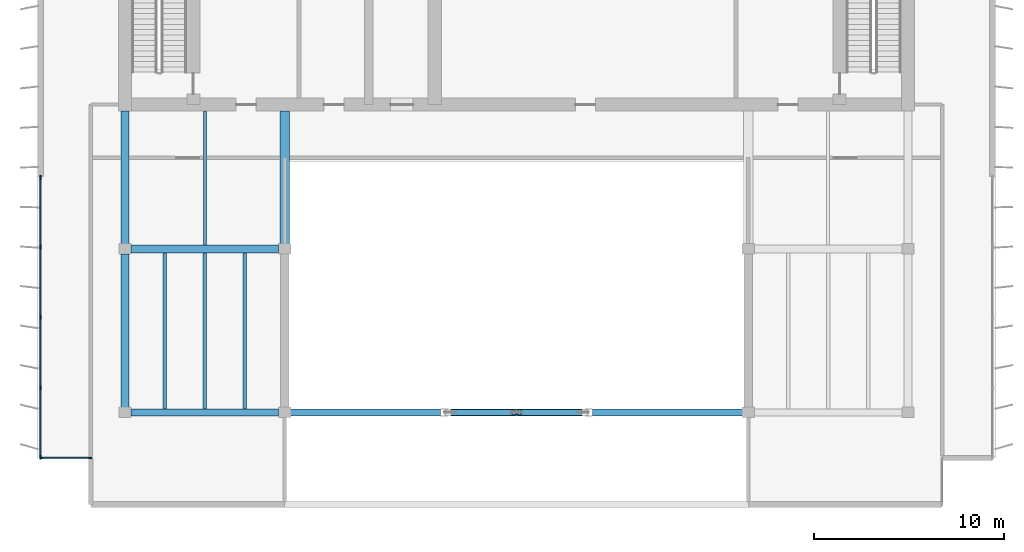
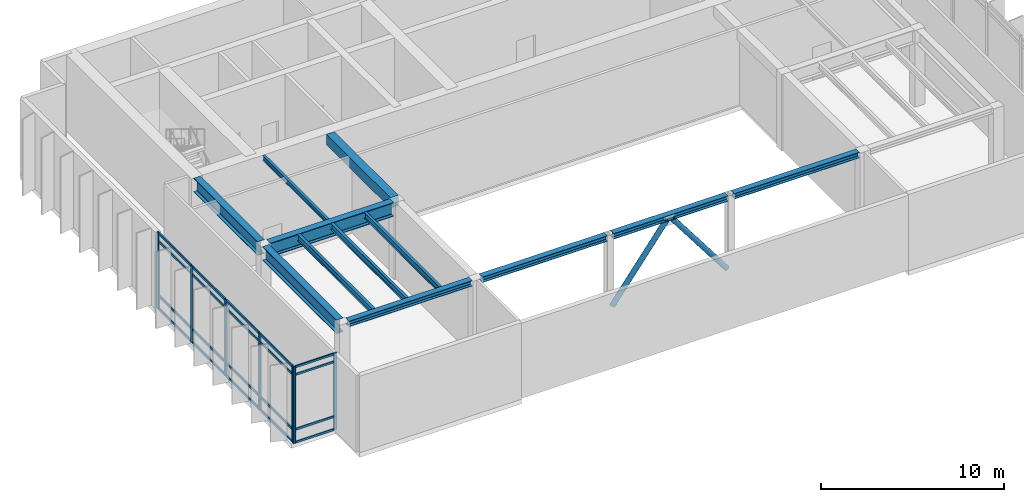
# One storey, part 2 of 9: 29 members, 12 beams, 2 elements without a shape of their own.
"""IFC4 building model written with IfcOpenShell, lengths in metres."""

import ifcopenshell
import ifcopenshell.guid

model = None  # the IFC model being written
_history = None  # IfcOwnerHistory: only IFC2X3 demands one
_inside = {}  # id of a spatial element -> (the spatial element, [elements in it])
_under = {}  # id of a project, library or spatial element -> (it, [spatial elements below it])
_declared = {}  # id of a project -> (the project, [libraries it declares])
_typed = {}  # id of a type object -> (the type object, [elements of that type])
_made_of = {}  # id of a material, layer set ... -> (it, [elements and type objects made of it])


def new_model(schema):
    """Start an empty IFC model of exactly this schema.

    Asked for "IFC4X3", IfcOpenShell would pick the latest addendum, in which some entities
    have other attributes; the version numbers below select the first issue.
    IFC2X3 requires an IfcOwnerHistory on every rooted entity: one is made here for all.
    """
    global model, _history
    if schema == "IFC4X3":
        model = ifcopenshell.file(schema_version=(4, 3, 0, 0))
    else:
        model = ifcopenshell.file(schema=schema)
    _inside.clear()
    _under.clear()
    _declared.clear()
    _typed.clear()
    _made_of.clear()
    _history = None
    if model.schema == "IFC2X3":
        org = make("IfcOrganization", Name="unknown")
        user = make(
            "IfcPersonAndOrganization",
            ThePerson=make("IfcPerson", FamilyName="unknown"),
            TheOrganization=org,
        )
        app = make(
            "IfcApplication",
            ApplicationDeveloper=org,
            Version="unknown",
            ApplicationFullName="unknown",
            ApplicationIdentifier="unknown",
        )
        _history = make(
            "IfcOwnerHistory",
            OwningUser=user,
            OwningApplication=app,
            ChangeAction="ADDED",
            CreationDate=0,
        )
    return model


def make(cls, **values):
    """One entity of the class cls with the attributes given. An attribute that is None is left unset."""
    return model.create_entity(
        cls, **{name: value for name, value in values.items() if value is not None}
    )


def rooted(cls, **values):
    """An entity with a GlobalId (a new one), such as an element, a storey or a relation."""
    return make(cls, GlobalId=ifcopenshell.guid.new(), OwnerHistory=_history, **values)


def si_unit(unit_type, name, prefix=None):
    """IfcSIUnit, for example si_unit("LENGTHUNIT", "METRE", prefix="MILLI")."""
    return make("IfcSIUnit", UnitType=unit_type, Prefix=prefix, Name=name)


def assignment(units):
    """IfcUnitAssignment: the units of a project."""
    return None if units is None else make("IfcUnitAssignment", Units=units)


def point(xyz):
    """IfcCartesianPoint."""
    return None if xyz is None else make("IfcCartesianPoint", Coordinates=xyz)


def direction(xyz):
    """IfcDirection."""
    return None if xyz is None else make("IfcDirection", DirectionRatios=xyz)


def frame(location, z_axis=None, x_axis=None):
    """IfcAxis2Placement3D, a coordinate frame: its origin and axes. An axis left out is left unset."""
    return make(
        "IfcAxis2Placement3D",
        Location=point(location),
        Axis=direction(z_axis),
        RefDirection=direction(x_axis),
    )


def frame_2d(location, x_axis=None):
    """IfcAxis2Placement2D, a coordinate frame in the plane: its origin and x axis."""
    return make(
        "IfcAxis2Placement2D", Location=point(location), RefDirection=direction(x_axis)
    )


def origin():
    """The frame at (0, 0, 0) with its axes left unset."""
    return frame((0.0, 0.0, 0.0))


def origin_2d():
    """The frame at (0, 0) in the plane with its x axis left unset."""
    return frame_2d((0.0, 0.0))


def place(relative_to, where):
    """IfcLocalPlacement: puts the frame where relative to a parent placement (None: the world)."""
    return make(
        "IfcLocalPlacement", PlacementRelTo=relative_to, RelativePlacement=where
    )


def context(
    kind, dimensions, precision=None, world=None, true_north=None, identifier=None
):
    """IfcGeometricRepresentationContext, for example the 3D "Model" context."""
    return make(
        "IfcGeometricRepresentationContext",
        ContextIdentifier=identifier,
        ContextType=kind,
        CoordinateSpaceDimension=dimensions,
        Precision=precision,
        WorldCoordinateSystem=world,
        TrueNorth=true_north,
    )


def subcontext(parent, identifier, kind, view, scale=None):
    """IfcGeometricRepresentationSubContext, for example "Body" below "Model"."""
    return make(
        "IfcGeometricRepresentationSubContext",
        ContextIdentifier=identifier,
        ContextType=kind,
        ParentContext=parent,
        TargetScale=scale,
        TargetView=view,
    )


def project(units=None, contexts=None):
    """IfcProject with its units and contexts."""
    return rooted(
        "IfcProject",
        Name="project",
        RepresentationContexts=contexts,
        UnitsInContext=assignment(units),
    )


def spatial(cls, under=None, at=None, **own):
    """A site, building, storey or space (cls), placed at a placement, below another one or the project."""
    s = rooted(cls, ObjectPlacement=at, **own)
    if under is not None:
        _under.setdefault(under.id(), (under, []))[1].append(s)
    return s


def profile(cls, at=None, kind="AREA", **sizes):
    """A parametric profile (cls). Its sizes go by their IFC names, for example OverallWidth=200.0."""
    return make(cls, ProfileType=kind, Position=at, **sizes)


def rectangle(**sizes):
    """IfcRectangleProfileDef."""
    return profile("IfcRectangleProfileDef", **sizes)


def hollow_circle(**sizes):
    """IfcCircleHollowProfileDef."""
    return profile("IfcCircleHollowProfileDef", **sizes)


def i_section(**sizes):
    """IfcIShapeProfileDef."""
    return profile("IfcIShapeProfileDef", **sizes)


def extrude(swept, where, along, depth):
    """IfcExtrudedAreaSolid: the profile swept, set in the frame where, extruded along a direction by depth."""
    return make(
        "IfcExtrudedAreaSolid",
        SweptArea=swept,
        Position=where,
        ExtrudedDirection=direction(along),
        Depth=depth,
    )


def shape(context_of_items, identifier, shape_type, items):
    """IfcShapeRepresentation: the items that make up one representation, for example the "Body"."""
    return make(
        "IfcShapeRepresentation",
        ContextOfItems=context_of_items,
        RepresentationIdentifier=identifier,
        RepresentationType=shape_type,
        Items=items,
    )


def material(Name=None, Category=None):
    """IfcMaterial."""
    return make("IfcMaterial", Name=Name, Category=Category)


def layer(
    of_material, thickness, ventilated=None, Name=None, Category=None, Priority=None
):
    """IfcMaterialLayer: one layer of a wall or slab, of a material (None: an air gap)."""
    return make(
        "IfcMaterialLayer",
        Material=of_material,
        LayerThickness=thickness,
        IsVentilated=ventilated,
        Name=Name,
        Category=Category,
        Priority=Priority,
    )


def layer_set(layers, Name=None):
    """IfcMaterialLayerSet."""
    return make("IfcMaterialLayerSet", MaterialLayers=layers, LayerSetName=Name)


def material_profile(
    of_material, cross_section, Name=None, Category=None, Priority=None
):
    """IfcMaterialProfile: a cross section and its material."""
    return make(
        "IfcMaterialProfile",
        Name=Name,
        Material=of_material,
        Profile=cross_section,
        Priority=Priority,
        Category=Category,
    )


def profile_set(profiles, Name=None, composite=None):
    """IfcMaterialProfileSet."""
    return make(
        "IfcMaterialProfileSet",
        Name=Name,
        MaterialProfiles=profiles,
        CompositeProfile=composite,
    )


def made_of(thing, what):
    """Note that an element or type object is made of a material, layer set ...; save() writes the relation."""
    if what is not None:
        _made_of.setdefault(what.id(), (what, []))[1].append(thing)
    return thing


def type_object(cls, material=None, **own):
    """A type object (cls), such as IfcWallType, which elements share."""
    return made_of(rooted(cls, **own), material)


def element(
    cls,
    number,
    at=None,
    inside=None,
    cuts=None,
    type_object=None,
    material=None,
    context=None,
    identifier="Body",
    shape_type=None,
    held_by="IfcProductDefinitionShape",
    body=None,
    shapes=None,
    **own,
):
    """One element of the class cls, such as IfcWall. Its Tag is "e" and its number.

    at: its placement. inside: the storey or other place that contains it. cuts: it is an
    opening in that element (IfcRelVoidsElement). A single representation is given by context,
    identifier, shape_type and body (its items); several are given by shapes. held_by: the class
    of the entity that holds the representations. save() writes the other relations.
    """
    e = rooted(cls, Tag="e%d" % number, ObjectPlacement=at, **own)
    if body is not None:
        shapes = [shape(context, identifier, shape_type, body)]
    if shapes is not None:
        e.Representation = make(held_by, Representations=shapes)
    if inside is not None:
        _inside.setdefault(inside.id(), (inside, []))[1].append(e)
    if cuts is not None:
        rooted(
            "IfcRelVoidsElement", RelatingBuildingElement=cuts, RelatedOpeningElement=e
        )
    if type_object is not None:
        _typed.setdefault(type_object.id(), (type_object, []))[1].append(e)
    return made_of(e, material)


def aggregate(whole, parts):
    """IfcRelAggregates: a whole, such as a stair, and the parts it consists of."""
    return rooted("IfcRelAggregates", RelatingObject=whole, RelatedObjects=parts)


def save(model, path):
    """Write the relations noted so far, then the file.

    IfcRelAggregates (storeys below a building ...), IfcRelContainedInSpatialStructure (elements
    in a storey), IfcRelDefinesByType, IfcRelAssociatesMaterial and IfcRelDeclares: one each for
    every whole, place, type object, material and project.
    """
    for whole, parts in _under.values():
        aggregate(whole, parts)
    for where, things in _inside.values():
        rooted(
            "IfcRelContainedInSpatialStructure",
            RelatedElements=things,
            RelatingStructure=where,
        )
    for kind, things in _typed.values():
        rooted("IfcRelDefinesByType", RelatedObjects=things, RelatingType=kind)
    for what, things in _made_of.values():
        rooted("IfcRelAssociatesMaterial", RelatedObjects=things, RelatingMaterial=what)
    for by, libraries in _declared.values():
        rooted("IfcRelDeclares", RelatingContext=by, RelatedDefinitions=libraries)
    model.write(path)


model = new_model("IFC4")

# Units and contexts
model_context = context("Model", 3, precision=1e-05, world=origin(), true_north=direction((0.0, 1.0)))
body_context = subcontext(model_context, "Body", "Model", "MODEL_VIEW")
ifc_project = project(units=[si_unit("LENGTHUNIT", "METRE"), si_unit("AREAUNIT", "SQUARE_METRE"), si_unit("VOLUMEUNIT", "CUBIC_METRE"), si_unit("PLANEANGLEUNIT", "RADIAN"), si_unit("MASSUNIT", "GRAM", prefix="KILO")], contexts=[model_context])

# Site, building, storey
site_placement = place(None, origin())
site = spatial("IfcSite", under=ifc_project, at=site_placement, CompositionType="ELEMENT")
building_placement = place(site_placement, origin())
building = spatial("IfcBuilding", under=site, at=building_placement, Name="Caelmar Bay Residences", CompositionType="ELEMENT")
storey_placement = place(building_placement, frame((0.0, 0.0, 290.199951171875)))
storey = spatial("IfcBuildingStorey", under=building, at=storey_placement, Name="L80", CompositionType="ELEMENT", Elevation=290.199951171875)

# Beams
ifc_material_1 = material(Name="Steel ASTM A992 Grade 50", Category="steel")
ifc_material_profile_1 = material_profile(ifc_material_1, i_section(OverallWidth=0.177978515625, OverallDepth=0.406005859375, WebThickness=0.0078125, FlangeThickness=0.0126953125, FilletRadius=0.0087890625, at=origin_2d()), Name="W16X40")
ifc_profile_set_1 = profile_set([ifc_material_profile_1], Name="Steel ASTM A992 Grade 50")
beam_type_1 = type_object("IfcBeamType", Name="BM-BAL-W16X40", PredefinedType="JOIST", material=ifc_profile_set_1)
for number, where, z_axis, x_axis, name in (
    (1, (20.39990234375, 20.986572265625, 4.89697265625), (0.0, 1.0, 0.0), (-1.0, 0.0, 0.0), "L80 Composite Floor Joist 1"),
    (2, (22.5, 20.986572265625, 4.89697265625), (0.0, 1.0, 0.0), (-1.0, 0.0, 0.0), "L80 Composite Floor Joist 2"),
    (3, (24.60009765625, 20.986572265625, 4.89697265625), (0.0, 1.0, 0.0), (-1.0, 0.0, 0.0), "L80 Composite Floor Joist 3"),
):
    element("IfcBeam", number, at=place(storey_placement, frame(where, z_axis=z_axis, x_axis=x_axis)), inside=storey, type_object=beam_type_1, Name=name, PredefinedType="JOIST", context=body_context, shape_type="SweptSolid", body=[
        extrude(i_section(OverallWidth=0.177978515625, OverallDepth=0.406005859375, WebThickness=0.0078125, FlangeThickness=0.0126953125, FilletRadius=0.0087890625, at=origin_2d()), origin(), (0.0, 0.0, 1.0), 8.202392578125),
    ])
ifc_material_profile_2 = material_profile(ifc_material_1, i_section(OverallWidth=0.373046875, OverallDepth=0.373046875, WebThickness=0.016357421875, FlangeThickness=0.026123046875, FilletRadius=0.01513671875, at=origin_2d()), Name="W14X132")
ifc_profile_set_2 = profile_set([ifc_material_profile_2], Name="Steel ASTM A992 Grade 50")
beam_type_2 = type_object("IfcBeamType", Name="BM-CHD-W14X132", PredefinedType="BEAM", material=ifc_profile_set_2)
beam_1_placement = place(storey_placement, frame((18.614990234375, 20.800048828125, 4.91357421875), z_axis=(1.0, 0.0, 0.0), x_axis=(0.0, 1.0, 0.0)))
element("IfcBeam", 4, at=beam_1_placement, inside=storey, type_object=beam_type_2, Name="L80 East-West Girder Y=20.80 (18.3-26.7)", PredefinedType="BEAM", context=body_context, shape_type="SweptSolid", body=[
    extrude(i_section(OverallWidth=0.373046875, OverallDepth=0.373046875, WebThickness=0.016357421875, FlangeThickness=0.026123046875, FilletRadius=0.01513671875, at=origin_2d()), origin(), (0.0, 0.0, 1.0), 7.77001953125),
])
beam_2_placement = place(storey_placement, frame((27.014892578125, 20.800048828125, 4.91357421875), z_axis=(1.0, 0.0, 0.0), x_axis=(0.0, 1.0, 0.0)))
element("IfcBeam", 5, at=beam_2_placement, inside=storey, type_object=beam_type_2, Name="L80 East-West Girder Y=20.80 (26.7-35.1)", PredefinedType="BEAM", context=body_context, shape_type="SweptSolid", body=[
    extrude(i_section(OverallWidth=0.373046875, OverallDepth=0.373046875, WebThickness=0.016357421875, FlangeThickness=0.026123046875, FilletRadius=0.01513671875, at=origin_2d()), origin(), (0.0, 0.0, 1.0), 7.8896484375),
])
beam_3_placement = place(storey_placement, frame((35.29541015625, 20.800048828125, 4.91357421875), z_axis=(1.0, 0.0, 0.0), x_axis=(0.0, 1.0, 0.0)))
element("IfcBeam", 6, at=beam_3_placement, inside=storey, type_object=beam_type_2, Name="L80 East-West Girder Y=20.80 (35.1-42.7)", PredefinedType="BEAM", context=body_context, shape_type="SweptSolid", body=[
    extrude(i_section(OverallWidth=0.373046875, OverallDepth=0.373046875, WebThickness=0.016357421875, FlangeThickness=0.026123046875, FilletRadius=0.01513671875, at=origin_2d()), origin(), (0.0, 0.0, 1.0), 7.208984375),
])
beam_4_placement = place(storey_placement, frame((42.8955078125, 20.800048828125, 4.91357421875), z_axis=(1.0, 0.0, 0.0), x_axis=(0.0, 1.0, 0.0)))
element("IfcBeam", 7, at=beam_4_placement, inside=storey, type_object=beam_type_2, Name="L80 East-West Girder Y=20.80 (42.7-51.1)", PredefinedType="BEAM", context=body_context, shape_type="SweptSolid", body=[
    extrude(i_section(OverallWidth=0.373046875, OverallDepth=0.373046875, WebThickness=0.016357421875, FlangeThickness=0.026123046875, FilletRadius=0.01513671875, at=origin_2d()), origin(), (0.0, 0.0, 1.0), 7.889404296875),
])
ifc_material_profile_3 = material_profile(ifc_material_1, i_section(OverallWidth=0.422119140625, OverallDepth=0.925048828125, WebThickness=0.021240234375, FlangeThickness=0.03662109375, FilletRadius=0.020263671875, at=origin_2d()), Name="W36X262")
ifc_profile_set_3 = profile_set([ifc_material_profile_3], Name="Steel ASTM A992 Grade 50")
beam_type_3 = type_object("IfcBeamType", Name="BM-GRD-W36X262", PredefinedType="BEAM", material=ifc_profile_set_3)
beam_5_placement = place(storey_placement, frame((18.614990234375, 29.39990234375, 4.637451171875), z_axis=(1.0, 0.0, 0.0), x_axis=(0.0, 1.0, 0.0)))
element("IfcBeam", 8, at=beam_5_placement, inside=storey, type_object=beam_type_3, Name="L80 East-West Girder Y=29.40 (18.3-26.7)", PredefinedType="BEAM", context=body_context, shape_type="SweptSolid", body=[
    extrude(i_section(OverallWidth=0.422119140625, OverallDepth=0.925048828125, WebThickness=0.021240234375, FlangeThickness=0.03662109375, FilletRadius=0.020263671875, at=origin_2d()), origin(), (0.0, 0.0, 1.0), 7.77001953125),
])
beam_6_placement = place(storey_placement, frame((18.300048828125, 29.6650390625, 4.637451171875), z_axis=(0.0, 1.0, 0.0), x_axis=(-1.0, 0.0, 0.0)))
element("IfcBeam", 9, at=beam_6_placement, inside=storey, type_object=beam_type_3, Name="L80 Core Tie Girder X=18.30", PredefinedType="BEAM", context=body_context, shape_type="SweptSolid", body=[
    extrude(i_section(OverallWidth=0.422119140625, OverallDepth=0.925048828125, WebThickness=0.021240234375, FlangeThickness=0.03662109375, FilletRadius=0.020263671875, at=origin_2d()), origin(), (0.0, 0.0, 1.0), 6.98486328125),
])
beam_7_placement = place(storey_placement, frame((18.300048828125, 21.06494140625, 4.637451171875), z_axis=(0.0, 1.0, 0.0), x_axis=(-1.0, 0.0, 0.0)))
element("IfcBeam", 10, at=beam_7_placement, inside=storey, type_object=beam_type_3, Name="L80 North-South Girder X=18.30 (20.8-29.4)", PredefinedType="BEAM", context=body_context, shape_type="SweptSolid", body=[
    extrude(i_section(OverallWidth=0.422119140625, OverallDepth=0.925048828125, WebThickness=0.021240234375, FlangeThickness=0.03662109375, FilletRadius=0.020263671875, at=origin_2d()), origin(), (0.0, 0.0, 1.0), 8.070068359375),
])
ifc_material_profile_4 = material_profile(ifc_material_1, i_section(OverallWidth=0.1650390625, OverallDepth=0.31005859375, WebThickness=0.005859375, FlangeThickness=0.009765625, FilletRadius=0.007568359375, at=origin_2d()), Name="W12X26")
ifc_profile_set_4 = profile_set([ifc_material_profile_4], Name="Steel ASTM A992 Grade 50")
beam_type_4 = type_object("IfcBeamType", Name="BM-JST-W12X26", PredefinedType="JOIST", material=ifc_profile_set_4)
beam_8_placement = place(storey_placement, frame((22.5, 29.611083984375, 4.945068359375), z_axis=(0.0, 1.0, 0.0), x_axis=(-1.0, 0.0, 0.0)))
element("IfcBeam", 11, at=beam_8_placement, inside=storey, type_object=beam_type_4, Name="L80 Core-Band Composite Joist 7", PredefinedType="JOIST", context=body_context, shape_type="SweptSolid", body=[
    extrude(i_section(OverallWidth=0.1650390625, OverallDepth=0.31005859375, WebThickness=0.005859375, FlangeThickness=0.009765625, FilletRadius=0.007568359375, at=origin_2d()), origin(), (0.0, 0.0, 1.0), 7.038818359375),
])
ifc_material_2 = material(Name="Concrete f'c 55 MPa (8,000 psi)", Category="concrete")
ifc_material_profile_5 = material_profile(ifc_material_2, rectangle(XDim=0.5, YDim=0.699951171875, at=origin_2d()), Name="RC-BM-500X700")
ifc_profile_set_5 = profile_set([ifc_material_profile_5], Name="Concrete f'c 55 MPa (8,000 psi)")
beam_type_5 = type_object("IfcBeamType", Name="BM-RC-500X700", PredefinedType="LINTEL", material=ifc_profile_set_5)
beam_9_placement = place(storey_placement, frame((26.699951171875, 29.6650390625, 4.75), z_axis=(0.0, 1.0, 0.0), x_axis=(-1.0, 0.0, 0.0)))
element("IfcBeam", 12, at=beam_9_placement, inside=storey, type_object=beam_type_5, Name="L80 Shear-Wall Corridor Coupling Lintel W5", PredefinedType="LINTEL", context=body_context, shape_type="SweptSolid", body=[
    extrude(rectangle(XDim=0.5, YDim=0.699951171875, at=origin_2d()), origin(), (0.0, 0.0, 1.0), 6.98486328125),
])

# Curtain wall, members
ifc_material_3 = material(Name="Anodised bronze aluminium 6063-T6 and laminated glass", Category="aluminium")
ifc_layer_1 = layer(ifc_material_3, 0.179931640625)
ifc_layer_set_1 = layer_set([ifc_layer_1], Name="Anodised bronze aluminium 6063-T6 and laminated glass")
curtain_wall_type_1 = type_object("IfcCurtainWallType", Name="CW6-NTC", PredefinedType="NOTDEFINED", material=ifc_layer_set_1)
curtain_wall_1_placement = place(storey_placement, origin())
curtain_wall_1 = element("IfcCurtainWall", 13, at=curtain_wall_1_placement, inside=storey, type_object=curtain_wall_type_1, Name="CW6 curtain wall L80", PredefinedType="NOTDEFINED")
ifc_material_4 = material(Name="Anodised bronze aluminium 6063-T6", Category="aluminium")
ifc_material_profile_6 = material_profile(ifc_material_4, rectangle(XDim=0.080078125, YDim=0.179931640625, at=origin_2d()), Name="CWM-80X180")
ifc_profile_set_6 = profile_set([ifc_material_profile_6], Name="Anodised bronze aluminium 6063-T6")
member_type_1 = type_object("IfcMemberType", Name="CWM-180", PredefinedType="MULLION", material=ifc_profile_set_6)
member_1_placement = place(storey_placement, frame((13.889892578125, 18.39990234375, 0.0), z_axis=(0.0, 0.0, 1.0), x_axis=(0.0, 1.0, 0.0)))
member_1 = element("IfcMember", 14, at=member_1_placement, type_object=member_type_1, Name="CW6 mullion 1", PredefinedType="MULLION", context=body_context, shape_type="SweptSolid", body=[
    extrude(rectangle(XDim=0.080078125, YDim=0.179931640625, at=origin_2d()), origin(), (0.0, 0.0, 1.0), 5.10009765625),
])
member_2_placement = place(storey_placement, frame((16.4599609375, 18.39990234375, 0.0), z_axis=(0.0, 0.0, 1.0), x_axis=(0.0, 1.0, 0.0)))
member_2 = element("IfcMember", 15, at=member_2_placement, type_object=member_type_1, Name="CW6 mullion 2", PredefinedType="MULLION", context=body_context, shape_type="SweptSolid", body=[
    extrude(rectangle(XDim=0.080078125, YDim=0.179931640625, at=origin_2d()), origin(), (0.0, 0.0, 1.0), 5.10009765625),
])

ifc_layer_2 = layer(ifc_material_3, 0.179931640625)
ifc_layer_set_2 = layer_set([ifc_layer_2], Name="Anodised bronze aluminium 6063-T6 and laminated glass")
curtain_wall_type_2 = type_object("IfcCurtainWallType", Name="CW7-CRN", PredefinedType="NOTDEFINED", material=ifc_layer_set_2)
curtain_wall_2_placement = place(storey_placement, origin())
curtain_wall_2 = element("IfcCurtainWall", 16, at=curtain_wall_2_placement, inside=storey, type_object=curtain_wall_type_2, Name="CW7 curtain wall L80", PredefinedType="NOTDEFINED")
ifc_material_profile_7 = material_profile(ifc_material_4, rectangle(XDim=0.080078125, YDim=0.219970703125, at=origin_2d()), Name="CWM-80X220")
ifc_profile_set_7 = profile_set([ifc_material_profile_7], Name="Anodised bronze aluminium 6063-T6")
member_type_2 = type_object("IfcMemberType", Name="CWM-220", PredefinedType="MULLION", material=ifc_profile_set_7)
member_3_placement = place(storey_placement, frame((13.85009765625, 18.43994140625, 0.0), z_axis=(0.0, 0.0, 1.0), x_axis=(-1.0, 0.0, 0.0)))
member_3 = element("IfcMember", 17, at=member_3_placement, type_object=member_type_2, Name="CW7 mullion 1", PredefinedType="MULLION", context=body_context, shape_type="SweptSolid", body=[
    extrude(rectangle(XDim=0.080078125, YDim=0.219970703125, at=origin_2d()), origin(), (0.0, 0.0, 1.0), 5.10009765625),
])
member_4_placement = place(storey_placement, frame((13.85009765625, 22.10009765625, 0.0), z_axis=(0.0, 0.0, 1.0), x_axis=(-1.0, 0.0, 0.0)))
member_4 = element("IfcMember", 18, at=member_4_placement, type_object=member_type_2, Name="CW7 mullion 2", PredefinedType="MULLION", context=body_context, shape_type="SweptSolid", body=[
    extrude(rectangle(XDim=0.080078125, YDim=0.219970703125, at=origin_2d()), origin(), (0.0, 0.0, 1.0), 5.10009765625),
])
member_5_placement = place(storey_placement, frame((13.85009765625, 25.800048828125, 0.0), z_axis=(0.0, 0.0, 1.0), x_axis=(-1.0, 0.0, 0.0)))
member_5 = element("IfcMember", 19, at=member_5_placement, type_object=member_type_2, Name="CW7 mullion 3", PredefinedType="MULLION", context=body_context, shape_type="SweptSolid", body=[
    extrude(rectangle(XDim=0.080078125, YDim=0.219970703125, at=origin_2d()), origin(), (0.0, 0.0, 1.0), 5.10009765625),
])
member_6_placement = place(storey_placement, frame((13.85009765625, 29.5, 0.0), z_axis=(0.0, 0.0, 1.0), x_axis=(-1.0, 0.0, 0.0)))
member_6 = element("IfcMember", 20, at=member_6_placement, type_object=member_type_2, Name="CW7 mullion 4", PredefinedType="MULLION", context=body_context, shape_type="SweptSolid", body=[
    extrude(rectangle(XDim=0.080078125, YDim=0.219970703125, at=origin_2d()), origin(), (0.0, 0.0, 1.0), 5.10009765625),
])
member_7_placement = place(storey_placement, frame((13.85009765625, 33.159912109375, 0.0), z_axis=(0.0, 0.0, 1.0), x_axis=(-1.0, 0.0, 0.0)))
member_7 = element("IfcMember", 21, at=member_7_placement, type_object=member_type_2, Name="CW7 mullion 5", PredefinedType="MULLION", context=body_context, shape_type="SweptSolid", body=[
    extrude(rectangle(XDim=0.080078125, YDim=0.219970703125, at=origin_2d()), origin(), (0.0, 0.0, 1.0), 5.10009765625),
])

# Member
ifc_material_profile_8 = material_profile(ifc_material_4, rectangle(XDim=0.080078125, YDim=0.139892578125, at=origin_2d()), Name="CWT-80X140")
ifc_profile_set_8 = profile_set([ifc_material_profile_8], Name="Anodised bronze aluminium 6063-T6")
member_type_3 = type_object("IfcMemberType", Name="CWT-140", PredefinedType="NOTDEFINED", material=ifc_profile_set_8)
member_8_placement = place(storey_placement, frame((13.929931640625, 18.39990234375, 0.0400390625), z_axis=(1.0, 0.0, 0.0), x_axis=(0.0, 1.0, 0.0)))
member_8 = element("IfcMember", 22, at=member_8_placement, type_object=member_type_3, Name="CW6 transom 1.1", ObjectType="TRANSOM", PredefinedType="USERDEFINED", context=body_context, shape_type="SweptSolid", body=[
    extrude(rectangle(XDim=0.080078125, YDim=0.139892578125, at=origin_2d()), origin(), (0.0, 0.0, 1.0), 2.489990234375),
])

member_9_placement = place(storey_placement, frame((13.929931640625, 18.39990234375, 0.900146484375), z_axis=(1.0, 0.0, 0.0), x_axis=(0.0, 1.0, 0.0)))
member_9 = element("IfcMember", 23, at=member_9_placement, type_object=member_type_3, Name="CW6 transom 1.2", ObjectType="TRANSOM", PredefinedType="USERDEFINED", context=body_context, shape_type="SweptSolid", body=[
    extrude(rectangle(XDim=0.080078125, YDim=0.139892578125, at=origin_2d()), origin(), (0.0, 0.0, 1.0), 2.489990234375),
])

member_10_placement = place(storey_placement, frame((13.929931640625, 18.39990234375, 4.550048828125), z_axis=(1.0, 0.0, 0.0), x_axis=(0.0, 1.0, 0.0)))
member_10 = element("IfcMember", 24, at=member_10_placement, type_object=member_type_3, Name="CW6 transom 1.3", ObjectType="TRANSOM", PredefinedType="USERDEFINED", context=body_context, shape_type="SweptSolid", body=[
    extrude(rectangle(XDim=0.080078125, YDim=0.139892578125, at=origin_2d()), origin(), (0.0, 0.0, 1.0), 2.489990234375),
])

member_11_placement = place(storey_placement, frame((13.929931640625, 18.39990234375, 5.06005859375), z_axis=(1.0, 0.0, 0.0), x_axis=(0.0, 1.0, 0.0)))
member_11 = element("IfcMember", 25, at=member_11_placement, type_object=member_type_3, Name="CW6 transom 1.4", ObjectType="TRANSOM", PredefinedType="USERDEFINED", context=body_context, shape_type="SweptSolid", body=[
    extrude(rectangle(XDim=0.080078125, YDim=0.139892578125, at=origin_2d()), origin(), (0.0, 0.0, 1.0), 2.489990234375),
])

aggregate(curtain_wall_1, [member_1, member_2, member_8, member_9, member_10, member_11])

ifc_material_profile_9 = material_profile(ifc_material_4, rectangle(XDim=0.080078125, YDim=0.159912109375, at=origin_2d()), Name="CWT-80X160")
ifc_profile_set_9 = profile_set([ifc_material_profile_9], Name="Anodised bronze aluminium 6063-T6")
member_type_4 = type_object("IfcMemberType", Name="CWT-160", PredefinedType="NOTDEFINED", material=ifc_profile_set_9)
member_12_placement = place(storey_placement, frame((13.85009765625, 18.47998046875, 0.0400390625), z_axis=(0.0, 1.0, 0.0), x_axis=(-1.0, 0.0, 0.0)))
member_12 = element("IfcMember", 26, at=member_12_placement, type_object=member_type_4, Name="CW7 transom 1.1", ObjectType="TRANSOM", PredefinedType="USERDEFINED", context=body_context, shape_type="SweptSolid", body=[
    extrude(rectangle(XDim=0.080078125, YDim=0.159912109375, at=origin_2d()), origin(), (0.0, 0.0, 1.0), 3.580078125),
])

member_13_placement = place(storey_placement, frame((13.85009765625, 18.47998046875, 0.900146484375), z_axis=(0.0, 1.0, 0.0), x_axis=(-1.0, 0.0, 0.0)))
member_13 = element("IfcMember", 27, at=member_13_placement, type_object=member_type_4, Name="CW7 transom 1.2", ObjectType="TRANSOM", PredefinedType="USERDEFINED", context=body_context, shape_type="SweptSolid", body=[
    extrude(rectangle(XDim=0.080078125, YDim=0.159912109375, at=origin_2d()), origin(), (0.0, 0.0, 1.0), 3.580078125),
])

member_14_placement = place(storey_placement, frame((13.85009765625, 18.47998046875, 4.550048828125), z_axis=(0.0, 1.0, 0.0), x_axis=(-1.0, 0.0, 0.0)))
member_14 = element("IfcMember", 28, at=member_14_placement, type_object=member_type_4, Name="CW7 transom 1.3", ObjectType="TRANSOM", PredefinedType="USERDEFINED", context=body_context, shape_type="SweptSolid", body=[
    extrude(rectangle(XDim=0.080078125, YDim=0.159912109375, at=origin_2d()), origin(), (0.0, 0.0, 1.0), 3.580078125),
])

member_15_placement = place(storey_placement, frame((13.85009765625, 18.47998046875, 5.06005859375), z_axis=(0.0, 1.0, 0.0), x_axis=(-1.0, 0.0, 0.0)))
member_15 = element("IfcMember", 29, at=member_15_placement, type_object=member_type_4, Name="CW7 transom 1.4", ObjectType="TRANSOM", PredefinedType="USERDEFINED", context=body_context, shape_type="SweptSolid", body=[
    extrude(rectangle(XDim=0.080078125, YDim=0.159912109375, at=origin_2d()), origin(), (0.0, 0.0, 1.0), 3.580078125),
])

member_16_placement = place(storey_placement, frame((13.85009765625, 22.139892578125, 0.0400390625), z_axis=(0.0, 1.0, 0.0), x_axis=(-1.0, 0.0, 0.0)))
member_16 = element("IfcMember", 30, at=member_16_placement, type_object=member_type_4, Name="CW7 transom 2.1", ObjectType="TRANSOM", PredefinedType="USERDEFINED", context=body_context, shape_type="SweptSolid", body=[
    extrude(rectangle(XDim=0.080078125, YDim=0.159912109375, at=origin_2d()), origin(), (0.0, 0.0, 1.0), 3.6201171875),
])

member_17_placement = place(storey_placement, frame((13.85009765625, 22.139892578125, 0.900146484375), z_axis=(0.0, 1.0, 0.0), x_axis=(-1.0, 0.0, 0.0)))
member_17 = element("IfcMember", 31, at=member_17_placement, type_object=member_type_4, Name="CW7 transom 2.2", ObjectType="TRANSOM", PredefinedType="USERDEFINED", context=body_context, shape_type="SweptSolid", body=[
    extrude(rectangle(XDim=0.080078125, YDim=0.159912109375, at=origin_2d()), origin(), (0.0, 0.0, 1.0), 3.6201171875),
])

member_18_placement = place(storey_placement, frame((13.85009765625, 22.139892578125, 4.550048828125), z_axis=(0.0, 1.0, 0.0), x_axis=(-1.0, 0.0, 0.0)))
member_18 = element("IfcMember", 32, at=member_18_placement, type_object=member_type_4, Name="CW7 transom 2.3", ObjectType="TRANSOM", PredefinedType="USERDEFINED", context=body_context, shape_type="SweptSolid", body=[
    extrude(rectangle(XDim=0.080078125, YDim=0.159912109375, at=origin_2d()), origin(), (0.0, 0.0, 1.0), 3.6201171875),
])

member_19_placement = place(storey_placement, frame((13.85009765625, 22.139892578125, 5.06005859375), z_axis=(0.0, 1.0, 0.0), x_axis=(-1.0, 0.0, 0.0)))
member_19 = element("IfcMember", 33, at=member_19_placement, type_object=member_type_4, Name="CW7 transom 2.4", ObjectType="TRANSOM", PredefinedType="USERDEFINED", context=body_context, shape_type="SweptSolid", body=[
    extrude(rectangle(XDim=0.080078125, YDim=0.159912109375, at=origin_2d()), origin(), (0.0, 0.0, 1.0), 3.6201171875),
])

member_20_placement = place(storey_placement, frame((13.85009765625, 25.840087890625, 0.0400390625), z_axis=(0.0, 1.0, 0.0), x_axis=(-1.0, 0.0, 0.0)))
member_20 = element("IfcMember", 34, at=member_20_placement, type_object=member_type_4, Name="CW7 transom 3.1", ObjectType="TRANSOM", PredefinedType="USERDEFINED", context=body_context, shape_type="SweptSolid", body=[
    extrude(rectangle(XDim=0.080078125, YDim=0.159912109375, at=origin_2d()), origin(), (0.0, 0.0, 1.0), 3.619873046875),
])

member_21_placement = place(storey_placement, frame((13.85009765625, 25.840087890625, 0.900146484375), z_axis=(0.0, 1.0, 0.0), x_axis=(-1.0, 0.0, 0.0)))
member_21 = element("IfcMember", 35, at=member_21_placement, type_object=member_type_4, Name="CW7 transom 3.2", ObjectType="TRANSOM", PredefinedType="USERDEFINED", context=body_context, shape_type="SweptSolid", body=[
    extrude(rectangle(XDim=0.080078125, YDim=0.159912109375, at=origin_2d()), origin(), (0.0, 0.0, 1.0), 3.619873046875),
])

member_22_placement = place(storey_placement, frame((13.85009765625, 25.840087890625, 4.550048828125), z_axis=(0.0, 1.0, 0.0), x_axis=(-1.0, 0.0, 0.0)))
member_22 = element("IfcMember", 36, at=member_22_placement, type_object=member_type_4, Name="CW7 transom 3.3", ObjectType="TRANSOM", PredefinedType="USERDEFINED", context=body_context, shape_type="SweptSolid", body=[
    extrude(rectangle(XDim=0.080078125, YDim=0.159912109375, at=origin_2d()), origin(), (0.0, 0.0, 1.0), 3.619873046875),
])

member_23_placement = place(storey_placement, frame((13.85009765625, 25.840087890625, 5.06005859375), z_axis=(0.0, 1.0, 0.0), x_axis=(-1.0, 0.0, 0.0)))
member_23 = element("IfcMember", 37, at=member_23_placement, type_object=member_type_4, Name="CW7 transom 3.4", ObjectType="TRANSOM", PredefinedType="USERDEFINED", context=body_context, shape_type="SweptSolid", body=[
    extrude(rectangle(XDim=0.080078125, YDim=0.159912109375, at=origin_2d()), origin(), (0.0, 0.0, 1.0), 3.619873046875),
])

member_24_placement = place(storey_placement, frame((13.85009765625, 29.5400390625, 0.0400390625), z_axis=(0.0, 1.0, 0.0), x_axis=(-1.0, 0.0, 0.0)))
member_24 = element("IfcMember", 38, at=member_24_placement, type_object=member_type_4, Name="CW7 transom 4.1", ObjectType="TRANSOM", PredefinedType="USERDEFINED", context=body_context, shape_type="SweptSolid", body=[
    extrude(rectangle(XDim=0.080078125, YDim=0.159912109375, at=origin_2d()), origin(), (0.0, 0.0, 1.0), 3.580078125),
])

member_25_placement = place(storey_placement, frame((13.85009765625, 29.5400390625, 0.900146484375), z_axis=(0.0, 1.0, 0.0), x_axis=(-1.0, 0.0, 0.0)))
member_25 = element("IfcMember", 39, at=member_25_placement, type_object=member_type_4, Name="CW7 transom 4.2", ObjectType="TRANSOM", PredefinedType="USERDEFINED", context=body_context, shape_type="SweptSolid", body=[
    extrude(rectangle(XDim=0.080078125, YDim=0.159912109375, at=origin_2d()), origin(), (0.0, 0.0, 1.0), 3.580078125),
])

member_26_placement = place(storey_placement, frame((13.85009765625, 29.5400390625, 4.550048828125), z_axis=(0.0, 1.0, 0.0), x_axis=(-1.0, 0.0, 0.0)))
member_26 = element("IfcMember", 40, at=member_26_placement, type_object=member_type_4, Name="CW7 transom 4.3", ObjectType="TRANSOM", PredefinedType="USERDEFINED", context=body_context, shape_type="SweptSolid", body=[
    extrude(rectangle(XDim=0.080078125, YDim=0.159912109375, at=origin_2d()), origin(), (0.0, 0.0, 1.0), 3.580078125),
])

member_27_placement = place(storey_placement, frame((13.85009765625, 29.5400390625, 5.06005859375), z_axis=(0.0, 1.0, 0.0), x_axis=(-1.0, 0.0, 0.0)))
member_27 = element("IfcMember", 41, at=member_27_placement, type_object=member_type_4, Name="CW7 transom 4.4", ObjectType="TRANSOM", PredefinedType="USERDEFINED", context=body_context, shape_type="SweptSolid", body=[
    extrude(rectangle(XDim=0.080078125, YDim=0.159912109375, at=origin_2d()), origin(), (0.0, 0.0, 1.0), 3.580078125),
])

aggregate(curtain_wall_2, [member_3, member_4, member_5, member_6, member_7, member_12, member_13, member_14, member_15, member_16, member_17, member_18, member_19, member_20, member_21, member_22, member_23, member_24, member_25, member_26, member_27])

# Members
ifc_material_5 = material(Name="Steel ASTM A500 Grade C", Category="steel")
ifc_material_profile_10 = material_profile(ifc_material_5, hollow_circle(Radius=0.162109375, WallThickness=0.014892578125, at=origin_2d()), Name="CHS324X15.9")
ifc_profile_set_10 = profile_set([ifc_material_profile_10], Name="Steel ASTM A500 Grade C")
member_type_5 = type_object("IfcMemberType", Name="MEM-PRT-CHS324", PredefinedType="BRACE", material=ifc_profile_set_10)
member_28_placement = place(storey_placement, frame((35.29541015625, 20.800048828125, 0.179931640625), z_axis=(0.604803355184, 0.0, 0.796374849903), x_axis=(0.0, 1.0, 0.0)))
element("IfcMember", 42, at=member_28_placement, inside=storey, type_object=member_type_5, Name="L80 Venturi Portal Central K-Brace A", PredefinedType="BRACE", context=body_context, shape_type="SweptSolid", body=[
    extrude(hollow_circle(Radius=0.162109375, WallThickness=0.014892578125, at=origin_2d()), origin(), (0.0, 0.0, 1.0), 5.728515625),
])
member_29_placement = place(storey_placement, frame((42.50439453125, 20.800048828125, 0.179931640625), z_axis=(-0.604776324748, 0.0, 0.796395377325), x_axis=(0.0, -1.0, 0.0)))
element("IfcMember", 43, at=member_29_placement, inside=storey, type_object=member_type_5, Name="L80 Venturi Portal Central K-Brace B", PredefinedType="BRACE", context=body_context, shape_type="SweptSolid", body=[
    extrude(hollow_circle(Radius=0.162109375, WallThickness=0.014892578125, at=origin_2d()), origin(), (0.0, 0.0, 1.0), 5.728271484375),
])

save(model, "model.ifc")
